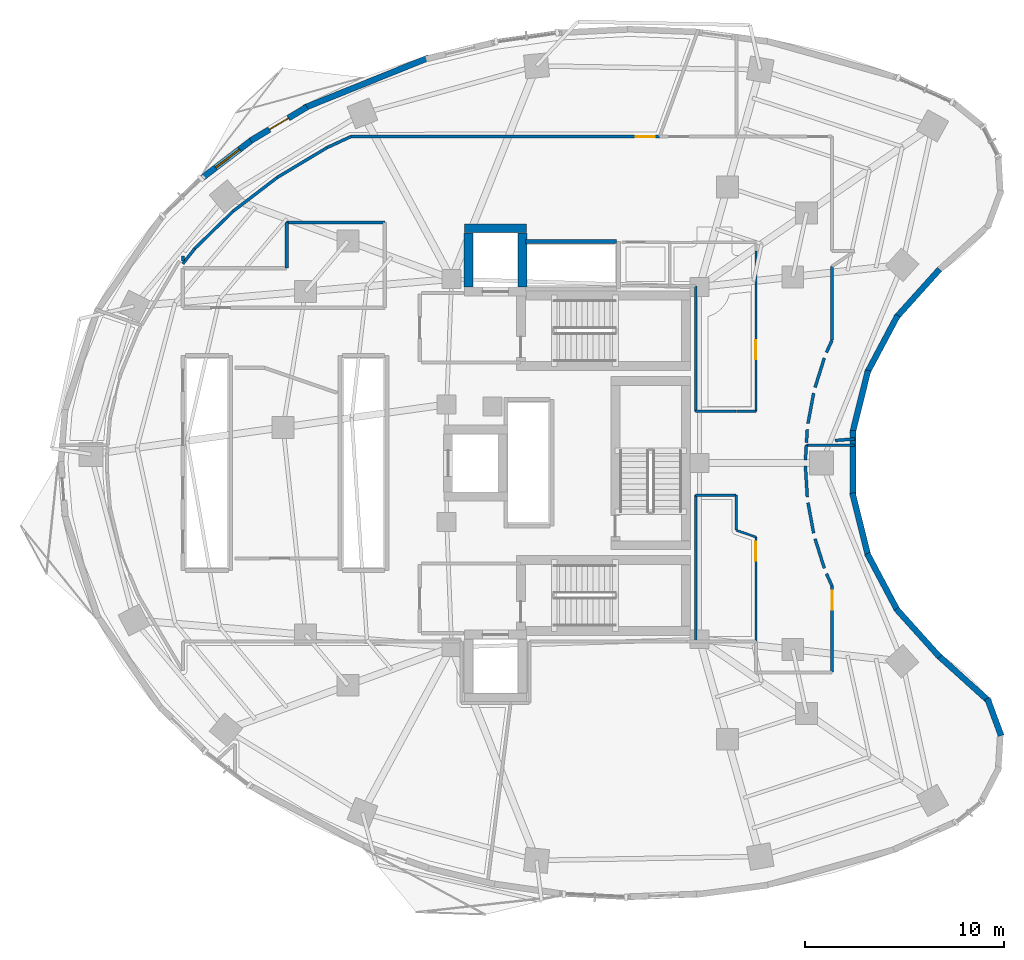
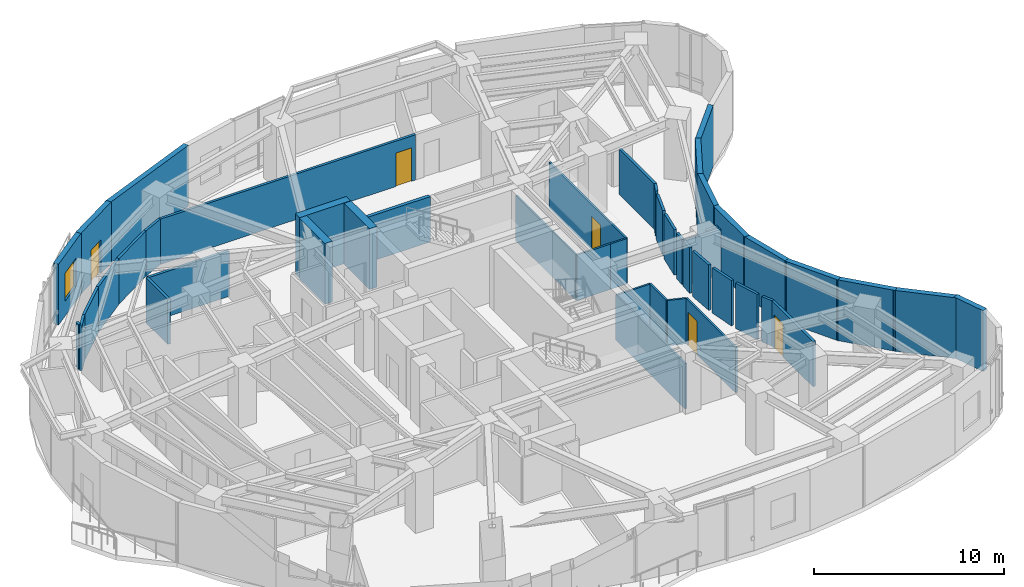
# One storey, part 9 of 13: 47 walls, 5 doors, 1 window, 6 openings.
"""IFC4 building model written with IfcOpenShell, lengths in metres."""

from ifc_helpers import new_model, si_unit, direction, frame, frame_2d, origin, place, context, subcontext, project, spatial, rectangle, extrude, material, layer, layer_set, type_object, element, fill, save


model = new_model("IFC4")

# Units and contexts
model_context = context("Model", 3, precision=1e-05, world=origin(), true_north=direction((0.0, 1.0)))
body_context = subcontext(model_context, "Body", "Model", "MODEL_VIEW")
ifc_project = project(units=[si_unit("LENGTHUNIT", "METRE"), si_unit("AREAUNIT", "SQUARE_METRE"), si_unit("VOLUMEUNIT", "CUBIC_METRE"), si_unit("PLANEANGLEUNIT", "RADIAN"), si_unit("MASSUNIT", "GRAM", prefix="KILO")], contexts=[model_context])

# Site, building, storey
site_placement = place(None, origin())
site = spatial("IfcSite", under=ifc_project, at=site_placement, CompositionType="ELEMENT")
building_placement = place(site_placement, origin())
building = spatial("IfcBuilding", under=site, at=building_placement, Name="Korentha Bioscience Tower", CompositionType="ELEMENT")
storey_placement = place(building_placement, frame((0.0, 0.0, 123.60009765625)))
storey = spatial("IfcBuildingStorey", under=building, at=storey_placement, Name="L28", CompositionType="ELEMENT", Elevation=123.60009765625)

# Wall, opening, door
ifc_material_1 = material(Name="Double-Stud Acoustic Gypsum", Category="gypsum")
ifc_layer_1 = layer(ifc_material_1, 0.14990234375, Name="Double-Stud Acoustic Gypsum")
ifc_layer_set_1 = layer_set([ifc_layer_1], Name="Double-Stud Acoustic Gypsum (IW-L150)")
wall_type_1 = type_object("IfcWallType", Name="Acoustic Laboratory Partition Wall 150", PredefinedType="PARTITIONING", material=ifc_layer_set_1)
wall_1_placement = place(storey_placement, frame((44.2099609375, 16.5, 0.0), z_axis=(0.0, 0.0, 1.0), x_axis=(0.0, 1.0, 0.0)))
wall_1 = element("IfcWall", 1, at=wall_1_placement, inside=storey, type_object=wall_type_1, Name="L28 Principal Investigator Office 03 Entrance Wall", PredefinedType="PARTITIONING", context=body_context, shape_type="SweptSolid", body=[
    extrude(rectangle(XDim=4.324951171875, YDim=0.14990234375, at=frame_2d((2.16259765625, 0.0))), origin(), (0.0, 0.0, 1.0), 2.909912109375),
])
opening_1_placement = place(wall_1_placement, frame((3.135009765625, 0.0, 0.0)))
opening_1 = element("IfcOpeningElement", 2, at=opening_1_placement, cuts=wall_1, Name="Opening ID-10R", PredefinedType="OPENING", context=body_context, shape_type="SweptSolid", body=[
    extrude(rectangle(XDim=0.949951171875, YDim=2.14990234375, at=frame_2d((0.47509765625, 1.074951171875))), frame((0.0, 0.08984375, 0.0), z_axis=(0.0, -1.0, 0.0), x_axis=(1.0, 0.0, 0.0)), (0.0, 0.0, 1.0), 0.1796875),
])
ifc_material_2 = material(Name="Phenolic Laminate Timber Core", Category="wood")
door_type_1 = type_object("IfcDoorType", Name="Laboratory Single Leaf Door 950x2150 Right", OperationType="SINGLE_SWING_RIGHT", PredefinedType="DOOR", material=ifc_material_2)
door_1_placement = place(opening_1_placement, origin())
door_1 = element("IfcDoor", 3, at=door_1_placement, inside=storey, type_object=door_type_1, Name="L28 Principal Investigator Office 03 Door", OperationType="SINGLE_SWING_RIGHT", OverallHeight=2.14990234375, OverallWidth=0.949951171875, PredefinedType="DOOR", context=body_context, shape_type="SweptSolid", body=[
    extrude(rectangle(XDim=0.949951171875, YDim=2.14990234375, at=frame_2d((0.47509765625, 1.074951171875))), frame((0.0, 0.02490234375, 0.0), z_axis=(0.0, -1.0, 0.0), x_axis=(1.0, 0.0, 0.0)), (0.0, 0.0, 1.0), 0.050048828125),
])
fill(opening_1, door_1)

wall_2_placement = place(storey_placement, frame((35.540283203125, 43.409912109375, 0.0), z_axis=(0.0, 0.0, 1.0), x_axis=(-1.0, 0.0, 0.0)))
wall_2 = element("IfcWall", 4, at=wall_2_placement, inside=storey, type_object=wall_type_1, Name="L28 Terrace View Refreshment Lounge 08 Entrance Wall", PredefinedType="PARTITIONING", context=body_context, shape_type="SweptSolid", body=[
    extrude(rectangle(XDim=15.497802734375, YDim=0.14990234375, at=frame_2d((7.7490234375, 0.0))), origin(), (0.0, 0.0, 1.0), 2.909912109375),
])
opening_2_placement = place(wall_2_placement, frame((0.239990234375, 0.0, 0.0)))
opening_2 = element("IfcOpeningElement", 5, at=opening_2_placement, cuts=wall_2, Name="Opening ID-10L", PredefinedType="OPENING", context=body_context, shape_type="SweptSolid", body=[
    extrude(rectangle(XDim=0.949951171875, YDim=2.14990234375, at=frame_2d((0.47509765625, 1.074951171875))), frame((0.0, 0.08984375, 0.0), z_axis=(0.0, -1.0, 0.0), x_axis=(1.0, 0.0, 0.0)), (0.0, 0.0, 1.0), 0.1796875),
])
door_type_2 = type_object("IfcDoorType", Name="Laboratory Single Leaf Door 950x2150 Left", OperationType="SINGLE_SWING_LEFT", PredefinedType="DOOR", material=ifc_material_2)
door_2_placement = place(opening_2_placement, origin())
door_2 = element("IfcDoor", 6, at=door_2_placement, inside=storey, type_object=door_type_2, Name="L28 Terrace View Refreshment Lounge 08 Door", OperationType="SINGLE_SWING_LEFT", OverallHeight=2.14990234375, OverallWidth=0.949951171875, PredefinedType="DOOR", context=body_context, shape_type="SweptSolid", body=[
    extrude(rectangle(XDim=0.949951171875, YDim=2.14990234375, at=frame_2d((0.47509765625, 1.074951171875))), frame((0.0, 0.02490234375, 0.0), z_axis=(0.0, -1.0, 0.0), x_axis=(1.0, 0.0, 0.0)), (0.0, 0.0, 1.0), 0.050048828125),
])
fill(opening_2, door_2)

# Walls
wall_3_placement = place(storey_placement, frame((44.208984375, 20.8291015625, 0.0), z_axis=(0.0, 0.0, 1.0), x_axis=(-0.414377467152, 0.910105111905, 0.0)))
element("IfcWall", 7, at=wall_3_placement, inside=storey, type_object=wall_type_1, Name="L28 Interior Partition 037", PredefinedType="PARTITIONING", context=body_context, shape_type="SweptSolid", body=[
    extrude(rectangle(XDim=0.67236328125, YDim=0.14990234375, at=frame_2d((0.336181640625, 0.0))), origin(), (0.0, 0.0, 1.0), 2.909912109375),
])
wall_4_placement = place(storey_placement, frame((43.823974609375, 21.718017578125, 0.0), z_axis=(0.0, 0.0, 1.0), x_axis=(-0.300641414783, 0.953737248783, 0.0)))
element("IfcWall", 8, at=wall_4_placement, inside=storey, type_object=wall_type_1, Name="L28 Interior Partition 038", PredefinedType="PARTITIONING", context=body_context, shape_type="SweptSolid", body=[
    extrude(rectangle(XDim=1.55029296875, YDim=0.14990234375, at=frame_2d((0.775146484375, 0.0))), origin(), (0.0, 0.0, 1.0), 2.909912109375),
])
wall_5_placement = place(storey_placement, frame((43.285888671875, 23.484619140625, 0.0), z_axis=(0.0, 0.0, 1.0), x_axis=(-0.182168192784, 0.983267384559, 0.0)))
element("IfcWall", 9, at=wall_5_placement, inside=storey, type_object=wall_type_1, Name="L28 Interior Partition 039", PredefinedType="PARTITIONING", context=body_context, shape_type="SweptSolid", body=[
    extrude(rectangle(XDim=1.550537109375, YDim=0.14990234375, at=frame_2d((0.775390625, 0.0))), origin(), (0.0, 0.0, 1.0), 2.909912109375),
])
wall_6_placement = place(storey_placement, frame((42.96728515625, 25.303955078125, 0.0), z_axis=(0.0, 0.0, 1.0), x_axis=(-0.061103659378, 0.99813142562, 0.0)))
element("IfcWall", 10, at=wall_6_placement, inside=storey, type_object=wall_type_1, Name="L28 Interior Partition 040", PredefinedType="PARTITIONING", context=body_context, shape_type="SweptSolid", body=[
    extrude(rectangle(XDim=1.55029296875, YDim=0.14990234375, at=frame_2d((0.775146484375, 0.0))), origin(), (0.0, 0.0, 1.0), 2.909912109375),
])
wall_7_placement = place(storey_placement, frame((42.87255859375, 27.148681640625, 0.0), z_axis=(0.0, 0.0, 1.0), x_axis=(0.061143125985, 0.998129008768, 0.0)))
element("IfcWall", 11, at=wall_7_placement, inside=storey, type_object=wall_type_1, Name="L28 Interior Partition 041", PredefinedType="PARTITIONING", context=body_context, shape_type="SweptSolid", body=[
    extrude(rectangle(XDim=0.750732421875, YDim=0.14990234375, at=frame_2d((0.37548828125, 0.0))), origin(), (0.0, 0.0, 1.0), 2.909912109375),
])
wall_8_placement = place(storey_placement, frame((42.91845703125, 27.89794921875, 0.0), z_axis=(0.0, 0.0, 1.0), x_axis=(1.0, 0.0, 0.0)))
element("IfcWall", 12, at=wall_8_placement, inside=storey, type_object=wall_type_1, Name="L28 Interior Partition 042", PredefinedType="PARTITIONING", context=body_context, shape_type="SweptSolid", body=[
    extrude(rectangle(XDim=2.4140625, YDim=0.14990234375, at=frame_2d((1.20703125, 0.0))), origin(), (0.0, 0.0, 1.0), 2.909912109375),
])
wall_9_placement = place(storey_placement, frame((45.349609375, 28.21337890625, 0.0), z_axis=(0.0, 0.0, 1.0), x_axis=(-0.997039830609, -0.076886775058, 0.0)))
element("IfcWall", 13, at=wall_9_placement, inside=storey, type_object=wall_type_1, Name="L28 Interior Partition 048", PredefinedType="PARTITIONING", context=body_context, shape_type="SweptSolid", body=[
    extrude(rectangle(XDim=0.981201171875, YDim=0.14990234375, at=frame_2d((0.49072265625, 0.0))), origin(), (0.0, 0.0, 1.0), 2.909912109375),
])
wall_10_placement = place(storey_placement, frame((42.92626953125, 28.02685546875, 0.0), z_axis=(0.0, 0.0, 1.0), x_axis=(0.061176697513, 0.998126951686, 0.0)))
element("IfcWall", 14, at=wall_10_placement, inside=storey, type_object=wall_type_1, Name="L28 Interior Partition 049", PredefinedType="PARTITIONING", context=body_context, shape_type="SweptSolid", body=[
    extrude(rectangle(XDim=0.67041015625, YDim=0.14990234375, at=frame_2d((0.335205078125, 0.0))), origin(), (0.0, 0.0, 1.0), 2.909912109375),
])
wall_11_placement = place(storey_placement, frame((43.00341796875, 28.99072265625, 0.0), z_axis=(0.0, 0.0, 1.0), x_axis=(0.182168192784, 0.983267384559, 0.0)))
element("IfcWall", 15, at=wall_11_placement, inside=storey, type_object=wall_type_1, Name="L28 Interior Partition 050", PredefinedType="PARTITIONING", context=body_context, shape_type="SweptSolid", body=[
    extrude(rectangle(XDim=1.550537109375, YDim=0.14990234375, at=frame_2d((0.775390625, 0.0))), origin(), (0.0, 0.0, 1.0), 2.909912109375),
])
wall_12_placement = place(storey_placement, frame((43.35791015625, 30.803466796875, 0.0), z_axis=(0.0, 0.0, 1.0), x_axis=(0.300641414783, 0.953737248783, 0.0)))
element("IfcWall", 16, at=wall_12_placement, inside=storey, type_object=wall_type_1, Name="L28 Interior Partition 051", PredefinedType="PARTITIONING", context=body_context, shape_type="SweptSolid", body=[
    extrude(rectangle(XDim=1.55029296875, YDim=0.14990234375, at=frame_2d((0.775146484375, 0.0))), origin(), (0.0, 0.0, 1.0), 2.909912109375),
])
wall_13_placement = place(storey_placement, frame((43.930419921875, 32.55908203125, 0.0), z_axis=(0.0, 0.0, 1.0), x_axis=(0.414377467152, 0.910105111905, 0.0)))
element("IfcWall", 17, at=wall_13_placement, inside=storey, type_object=wall_type_1, Name="L28 Interior Partition 052", PredefinedType="PARTITIONING", context=body_context, shape_type="SweptSolid", body=[
    extrude(rectangle(XDim=0.67236328125, YDim=0.14990234375, at=frame_2d((0.336181640625, 0.0))), origin(), (0.0, 0.0, 1.0), 2.909912109375),
])
wall_14_placement = place(storey_placement, frame((44.2099609375, 33.175048828125, 0.0), z_axis=(0.0, 0.0, 1.0), x_axis=(0.0, 1.0, 0.0)))
element("IfcWall", 18, at=wall_14_placement, inside=storey, type_object=wall_type_1, Name="L28 Interior Partition 053", PredefinedType="PARTITIONING", context=body_context, shape_type="SweptSolid", body=[
    extrude(rectangle(XDim=3.708984375, YDim=0.14990234375, at=frame_2d((1.8544921875, 0.0))), origin(), (0.0, 0.0, 1.0), 2.909912109375),
])
wall_15_placement = place(storey_placement, frame((20.038330078125, 43.4091796875, 0.0), z_axis=(0.0, 0.0, 1.0), x_axis=(-0.907124862852, -0.420861596248, 0.0)))
element("IfcWall", 19, at=wall_15_placement, inside=storey, type_object=wall_type_1, Name="L28 Interior Partition 068", PredefinedType="PARTITIONING", context=body_context, shape_type="SweptSolid", body=[
    extrude(rectangle(XDim=1.321533203125, YDim=0.14990234375, at=frame_2d((0.66064453125, 0.0))), origin(), (0.0, 0.0, 1.0), 2.909912109375),
])
wall_16_placement = place(storey_placement, frame((18.838623046875, 42.8525390625, 0.0), z_axis=(0.0, 0.0, 1.0), x_axis=(-0.857603806023, -0.514310909757, 0.0)))
element("IfcWall", 20, at=wall_16_placement, inside=storey, type_object=wall_type_1, Name="L28 Interior Partition 069", PredefinedType="PARTITIONING", context=body_context, shape_type="SweptSolid", body=[
    extrude(rectangle(XDim=2.91357421875, YDim=0.14990234375, at=frame_2d((1.456787109375, 0.0))), origin(), (0.0, 0.0, 1.0), 2.909912109375),
])
wall_17_placement = place(storey_placement, frame((16.3388671875, 41.353515625, 0.0), z_axis=(0.0, 0.0, 1.0), x_axis=(-0.794513779695, -0.607246122981, 0.0)))
element("IfcWall", 21, at=wall_17_placement, inside=storey, type_object=wall_type_1, Name="L28 Interior Partition 070", PredefinedType="PARTITIONING", context=body_context, shape_type="SweptSolid", body=[
    extrude(rectangle(XDim=2.799072265625, YDim=0.14990234375, at=frame_2d((1.3994140625, 0.0))), origin(), (0.0, 0.0, 1.0), 2.909912109375),
])
wall_18_placement = place(storey_placement, frame((14.1142578125, 39.65283203125, 0.0), z_axis=(0.0, 0.0, 1.0), x_axis=(-0.716161838398, -0.697934252794, 0.0)))
element("IfcWall", 22, at=wall_18_placement, inside=storey, type_object=wall_type_1, Name="L28 Interior Partition 071", PredefinedType="PARTITIONING", context=body_context, shape_type="SweptSolid", body=[
    extrude(rectangle(XDim=2.6787109375, YDim=0.14990234375, at=frame_2d((1.33935546875, 0.0))), origin(), (0.0, 0.0, 1.0), 2.909912109375),
])
wall_19_placement = place(storey_placement, frame((12.195068359375, 37.781982421875, 0.0), z_axis=(0.0, 0.0, 1.0), x_axis=(-0.621081637991, -0.783745876513, 0.0)))
element("IfcWall", 23, at=wall_19_placement, inside=storey, type_object=wall_type_1, Name="L28 Interior Partition 072", PredefinedType="PARTITIONING", context=body_context, shape_type="SweptSolid", body=[
    extrude(rectangle(XDim=0.97412109375, YDim=0.14990234375, at=frame_2d((0.487060546875, 0.0))), origin(), (0.0, 0.0, 1.0), 2.909912109375),
])
wall_20_placement = place(storey_placement, frame((11.590087890625, 37.14404296875, 0.0), z_axis=(0.0, 0.0, 1.0), x_axis=(0.0, 1.0, 0.0)))
element("IfcWall", 24, at=wall_20_placement, inside=storey, type_object=wall_type_1, Name="L28 Interior Partition 073", PredefinedType="PARTITIONING", context=body_context, shape_type="SweptSolid", body=[
    extrude(rectangle(XDim=0.263916015625, YDim=0.14990234375, at=frame_2d((0.1318359375, 0.0))), origin(), (0.0, 0.0, 1.0), 2.909912109375),
])

# Wall, opening, door
ifc_material_3 = material(Name="Fire-Rated Framed Glass", Category="glass")
ifc_layer_2 = layer(ifc_material_3, 0.110107421875, Name="Fire-Rated Framed Glass")
ifc_layer_set_2 = layer_set([ifc_layer_2], Name="Fire-Rated Framed Glass (IW-G110)")
wall_type_2 = type_object("IfcWallType", Name="Demountable Glazed Office Partition 110", PredefinedType="MOVABLE", material=ifc_layer_set_2)
wall_21_placement = place(storey_placement, frame((40.389892578125, 23.28515625, 0.0), z_axis=(0.0, 0.0, 1.0), x_axis=(0.0, -1.0, 0.0)))
wall_21 = element("IfcWall", 25, at=wall_21_placement, inside=storey, type_object=wall_type_2, Name="L28 Research Colloquium Seminar Room 04 Entrance Wall", PredefinedType="MOVABLE", context=body_context, shape_type="SweptSolid", body=[
    extrude(rectangle(XDim=5.22705078125, YDim=0.110107421875, at=frame_2d((2.613525390625, 0.0))), origin(), (0.0, 0.0, 1.0), 2.909912109375),
])
opening_3_placement = place(wall_21_placement, frame((0.239990234375, 0.0, 0.0)))
opening_3 = element("IfcOpeningElement", 26, at=opening_3_placement, cuts=wall_21, Name="Opening ID-10L", PredefinedType="OPENING", context=body_context, shape_type="SweptSolid", body=[
    extrude(rectangle(XDim=0.949951171875, YDim=2.14990234375, at=frame_2d((0.47509765625, 1.074951171875))), frame((0.0, 0.06982421875, 0.0), z_axis=(0.0, -1.0, 0.0), x_axis=(1.0, 0.0, 0.0)), (0.0, 0.0, 1.0), 0.139892578125),
])
door_3_placement = place(opening_3_placement, origin())
door_3 = element("IfcDoor", 27, at=door_3_placement, inside=storey, type_object=door_type_2, Name="L28 Research Colloquium Seminar Room 04 Door", OperationType="SINGLE_SWING_LEFT", OverallHeight=2.14990234375, OverallWidth=0.949951171875, PredefinedType="DOOR", context=body_context, shape_type="SweptSolid", body=[
    extrude(rectangle(XDim=0.949951171875, YDim=2.14990234375, at=frame_2d((0.47509765625, 1.074951171875))), frame((0.0, 0.02490234375, 0.0), z_axis=(0.0, -1.0, 0.0), x_axis=(1.0, 0.0, 0.0)), (0.0, 0.0, 1.0), 0.050048828125),
])
fill(opening_3, door_3)

wall_22_placement = place(storey_placement, frame((40.389892578125, 37.64794921875, 0.0), z_axis=(0.0, 0.0, 1.0), x_axis=(0.0, -1.0, 0.0)))
wall_22 = element("IfcWall", 28, at=wall_22_placement, inside=storey, type_object=wall_type_2, Name="L28 Patent and Regulatory Affairs Office 06 Entrance Wall", PredefinedType="MOVABLE", context=body_context, shape_type="SweptSolid", body=[
    extrude(rectangle(XDim=8.0458984375, YDim=0.110107421875, at=frame_2d((4.02294921875, 0.0))), origin(), (0.0, 0.0, 1.0), 2.909912109375),
])
opening_4_placement = place(wall_22_placement, frame((4.466796875, 0.0, 0.0)))
opening_4 = element("IfcOpeningElement", 29, at=opening_4_placement, cuts=wall_22, Name="Opening ID-10L", PredefinedType="OPENING", context=body_context, shape_type="SweptSolid", body=[
    extrude(rectangle(XDim=0.949951171875, YDim=2.14990234375, at=frame_2d((0.47509765625, 1.074951171875))), frame((0.0, 0.06982421875, 0.0), z_axis=(0.0, -1.0, 0.0), x_axis=(1.0, 0.0, 0.0)), (0.0, 0.0, 1.0), 0.139892578125),
])
door_4_placement = place(opening_4_placement, origin())
door_4 = element("IfcDoor", 30, at=door_4_placement, inside=storey, type_object=door_type_2, Name="L28 Patent and Regulatory Affairs Office 06 Door", OperationType="SINGLE_SWING_LEFT", OverallHeight=2.14990234375, OverallWidth=0.949951171875, PredefinedType="DOOR", context=body_context, shape_type="SweptSolid", body=[
    extrude(rectangle(XDim=0.949951171875, YDim=2.14990234375, at=frame_2d((0.47509765625, 1.074951171875))), frame((0.0, 0.02490234375, 0.0), z_axis=(0.0, -1.0, 0.0), x_axis=(1.0, 0.0, 0.0)), (0.0, 0.0, 1.0), 0.050048828125),
])
fill(opening_4, door_4)

# Walls
wall_23_placement = place(storey_placement, frame((39.402099609375, 23.62548828125, 0.0), z_axis=(0.0, 0.0, 1.0), x_axis=(0.945457381587, -0.325745820547, 0.0)))
element("IfcWall", 31, at=wall_23_placement, inside=storey, type_object=wall_type_2, Name="L28 Interior Partition 044", PredefinedType="MOVABLE", context=body_context, shape_type="SweptSolid", body=[
    extrude(rectangle(XDim=1.044677734375, YDim=0.110107421875, at=frame_2d((0.5224609375, 0.0))), origin(), (0.0, 0.0, 1.0), 2.909912109375),
])
wall_24_placement = place(storey_placement, frame((37.360107421875, 18.10009765625, 0.0), z_axis=(0.0, 0.0, 1.0), x_axis=(0.0, 1.0, 0.0)))
element("IfcWall", 32, at=wall_24_placement, inside=storey, type_object=wall_type_2, Name="L28 Interior Partition 045", PredefinedType="MOVABLE", context=body_context, shape_type="SweptSolid", body=[
    extrude(rectangle(XDim=7.289794921875, YDim=0.110107421875, at=frame_2d((3.64501953125, 0.0))), origin(), (0.0, 0.0, 1.0), 2.909912109375),
])
wall_25_placement = place(storey_placement, frame((37.360107421875, 25.389892578125, 0.0), z_axis=(0.0, 0.0, 1.0), x_axis=(1.0, 0.0, 0.0)))
element("IfcWall", 33, at=wall_25_placement, inside=storey, type_object=wall_type_2, Name="L28 Interior Partition 046", PredefinedType="MOVABLE", context=body_context, shape_type="SweptSolid", body=[
    extrude(rectangle(XDim=2.037841796875, YDim=0.110107421875, at=frame_2d((1.01904296875, 0.0))), origin(), (0.0, 0.0, 1.0), 2.909912109375),
])
wall_26_placement = place(storey_placement, frame((39.39794921875, 25.389892578125, 0.0), z_axis=(0.0, 0.0, 1.0), x_axis=(0.0, -1.0, 0.0)))
element("IfcWall", 34, at=wall_26_placement, inside=storey, type_object=wall_type_2, Name="L28 Interior Partition 047", PredefinedType="MOVABLE", context=body_context, shape_type="SweptSolid", body=[
    extrude(rectangle(XDim=1.7587890625, YDim=0.110107421875, at=frame_2d((0.87939453125, 0.0))), origin(), (0.0, 0.0, 1.0), 2.909912109375),
])
wall_27_placement = place(storey_placement, frame((40.389892578125, 29.60205078125, 0.0), z_axis=(0.0, 0.0, 1.0), x_axis=(-1.0, 0.0, 0.0)))
element("IfcWall", 35, at=wall_27_placement, inside=storey, type_object=wall_type_2, Name="L28 Interior Partition 059", PredefinedType="MOVABLE", context=body_context, shape_type="SweptSolid", body=[
    extrude(rectangle(XDim=0.98779296875, YDim=0.110107421875, at=frame_2d((0.493896484375, 0.0))), origin(), (0.0, 0.0, 1.0), 2.909912109375),
])
wall_28_placement = place(storey_placement, frame((39.39794921875, 29.60205078125, 0.0), z_axis=(0.0, 0.0, 1.0), x_axis=(-1.0, 0.0, 0.0)))
element("IfcWall", 36, at=wall_28_placement, inside=storey, type_object=wall_type_2, Name="L28 Interior Partition 060", PredefinedType="MOVABLE", context=body_context, shape_type="SweptSolid", body=[
    extrude(rectangle(XDim=2.037841796875, YDim=0.110107421875, at=frame_2d((1.01904296875, 0.0))), origin(), (0.0, 0.0, 1.0), 2.909912109375),
])
wall_29_placement = place(storey_placement, frame((37.360107421875, 29.60205078125, 0.0), z_axis=(0.0, 0.0, 1.0), x_axis=(0.0, 1.0, 0.0)))
element("IfcWall", 37, at=wall_29_placement, inside=storey, type_object=wall_type_2, Name="L28 Interior Partition 061", PredefinedType="MOVABLE", context=body_context, shape_type="SweptSolid", body=[
    extrude(rectangle(XDim=6.2978515625, YDim=0.110107421875, at=frame_2d((3.14892578125, 0.0))), origin(), (0.0, 0.0, 1.0), 2.909912109375),
])
ifc_material_4 = material(Name="Gypsum-Clad Steel Stud", Category="steel")
ifc_layer_3 = layer(ifc_material_4, 0.159912109375, Name="Gypsum-Clad Steel Stud")
ifc_layer_set_3 = layer_set([ifc_layer_3], Name="Gypsum-Clad Steel Stud (IW-C160)")
wall_type_3 = type_object("IfcWallType", Name="Fire-Rated Corridor Partition Wall 160", PredefinedType="PARTITIONING", material=ifc_layer_set_3)
wall_30_placement = place(storey_placement, frame((16.81005859375, 36.800048828125, 0.0), z_axis=(0.0, 0.0, 1.0), x_axis=(0.0, 1.0, 0.0)))
element("IfcWall", 38, at=wall_30_placement, inside=storey, type_object=wall_type_3, Name="L28 Interior Partition 076", PredefinedType="PARTITIONING", context=body_context, shape_type="SweptSolid", body=[
    extrude(rectangle(XDim=2.2900390625, YDim=0.159912109375, at=frame_2d((1.14501953125, 0.0))), origin(), (0.0, 0.0, 1.0), 2.909912109375),
])
wall_31_placement = place(storey_placement, frame((16.81005859375, 39.090087890625, 0.0), z_axis=(0.0, 0.0, 1.0), x_axis=(1.0, 0.0, 0.0)))
element("IfcWall", 39, at=wall_31_placement, inside=storey, type_object=wall_type_3, Name="L28 Interior Partition 077", PredefinedType="PARTITIONING", context=body_context, shape_type="SweptSolid", body=[
    extrude(rectangle(XDim=4.929931640625, YDim=0.159912109375, at=frame_2d((2.46484375, 0.0))), origin(), (0.0, 0.0, 1.0), 2.909912109375),
])

# Wall, opening, door
ifc_material_5 = material(Name="Honed Limestone Precast Concrete C40", Category="masonry")
ifc_layer_4 = layer(ifc_material_5, 0.300048828125, Name="Honed Limestone Precast Concrete C40")
ifc_layer_set_4 = layer_set([ifc_layer_4], Name="Honed Limestone Precast Concrete C40 (EW-ST300)")
wall_type_4 = type_object("IfcWallType", Name="Honed Limestone Cavity Spandrel Wall 300", PredefinedType="STANDARD", material=ifc_layer_set_4)
wall_32_placement = place(storey_placement, frame((17.83349609375, 44.896728515625, 0.0), z_axis=(0.0, 0.0, 1.0), x_axis=(-0.85758429223, -0.514343447242, 0.0)))
wall_32 = element("IfcWall", 40, at=wall_32_placement, inside=storey, type_object=wall_type_4, Name="L28 Balcony Threshold Wall 01", PredefinedType="STANDARD", context=body_context, shape_type="SweptSolid", body=[
    extrude(rectangle(XDim=3.30029296875, YDim=0.300048828125, at=frame_2d((1.650146484375, 0.0))), origin(), (0.0, 0.0, 1.0), 3.89990234375),
])
opening_5_placement = place(wall_32_placement, frame((1.10009765625, 0.0, 0.0)))
opening_5 = element("IfcOpeningElement", 41, at=opening_5_placement, cuts=wall_32, Name="Opening BD-11L", PredefinedType="OPENING", context=body_context, shape_type="SweptSolid", body=[
    extrude(rectangle(XDim=1.10009765625, YDim=2.14990234375, at=frame_2d((0.550048828125, 1.074951171875))), frame((0.0, 0.1650390625, 0.0), z_axis=(0.0, -1.0, 0.0), x_axis=(1.0, 0.0, 0.0)), (0.0, 0.0, 1.0), 0.329833984375),
])
ifc_material_6 = material(Name="Thermally Broken Glazed Aluminium", Category="aluminium")
door_type_3 = type_object("IfcDoorType", Name="Balcony Terrace Glazed Door 1100x2150 Left", OperationType="SINGLE_SWING_LEFT", PredefinedType="DOOR", material=ifc_material_6)
door_5_placement = place(opening_5_placement, origin())
door_5 = element("IfcDoor", 42, at=door_5_placement, inside=storey, type_object=door_type_3, Name="L28 Balcony Access Door 01", OperationType="SINGLE_SWING_LEFT", OverallHeight=2.14990234375, OverallWidth=1.10009765625, PredefinedType="DOOR", context=body_context, shape_type="SweptSolid", body=[
    extrude(rectangle(XDim=1.10009765625, YDim=2.14990234375, at=frame_2d((0.550048828125, 1.074951171875))), frame((0.0, 0.02490234375, 0.0), z_axis=(0.0, -1.0, 0.0), x_axis=(1.0, 0.0, 0.0)), (0.0, 0.0, 1.0), 0.050048828125),
])
fill(opening_5, door_5)

# Wall, opening, window
wall_33_placement = place(storey_placement, frame((15.1171875, 43.276611328125, 0.0), z_axis=(0.0, 0.0, 1.0), x_axis=(-0.794524406211, -0.607232219119, 0.0)))
wall_33 = element("IfcWall", 43, at=wall_33_placement, inside=storey, type_object=wall_type_4, Name="L28 Honed Limestone Spandrel Wall 12", PredefinedType="STANDARD", context=body_context, shape_type="SweptSolid", body=[
    extrude(rectangle(XDim=3.202880859375, YDim=0.300048828125, at=frame_2d((1.6015625, 0.0))), origin(), (0.0, 0.0, 1.0), 3.89990234375),
])
opening_6_placement = place(wall_33_placement, frame((0.851318359375, 0.0, 0.949951171875)))
opening_6 = element("IfcOpeningElement", 44, at=opening_6_placement, cuts=wall_33, Name="Opening WN-02", PredefinedType="OPENING", context=body_context, shape_type="SweptSolid", body=[
    extrude(rectangle(XDim=1.5, YDim=1.800048828125, at=frame_2d((0.75, 0.89990234375))), frame((0.0, 0.1650390625, 0.0), z_axis=(0.0, -1.0, 0.0), x_axis=(1.0, 0.0, 0.0)), (0.0, 0.0, 1.0), 0.329833984375),
])
ifc_material_7 = material(Name="Thermally Broken Aluminium Triple Glazing", Category="aluminium")
window_type = type_object("IfcWindowType", Name="Acoustic Operable Office Window 1500x1800", PartitioningType="DOUBLE_PANEL_VERTICAL", PredefinedType="WINDOW", material=ifc_material_7)
window_placement = place(opening_6_placement, origin())
window = element("IfcWindow", 45, at=window_placement, inside=storey, type_object=window_type, Name="L28 Facade Window 12", OverallHeight=1.800048828125, OverallWidth=1.5, PartitioningType="DOUBLE_PANEL_VERTICAL", PredefinedType="WINDOW", context=body_context, shape_type="SweptSolid", body=[
    extrude(rectangle(XDim=1.5, YDim=1.800048828125, at=frame_2d((0.75, 0.89990234375))), frame((0.0, 0.030029296875, 0.0), z_axis=(0.0, -1.0, 0.0), x_axis=(1.0, 0.0, 0.0)), (0.0, 0.0, 1.0), 0.06005859375),
])
fill(opening_6, window)

# Walls
wall_34_placement = place(storey_placement, frame((23.955810546875, 47.375, 0.0), z_axis=(0.0, 0.0, 1.0), x_axis=(-0.927423312416, -0.374013368194, 0.0)))
element("IfcWall", 46, at=wall_34_placement, inside=storey, type_object=wall_type_4, Name="L28 Limestone Perimeter Closure Wall 09", PredefinedType="STANDARD", context=body_context, shape_type="SweptSolid", body=[
    extrude(rectangle(XDim=6.76904296875, YDim=0.300048828125, at=frame_2d((3.384521484375, 0.0))), origin(), (0.0, 0.0, 1.0), 3.89990234375),
])
wall_35_placement = place(storey_placement, frame((52.710205078125, 13.3046875, 0.0), z_axis=(0.0, 0.0, 1.0), x_axis=(-0.347370087337, 0.937728117539, 0.0)))
element("IfcWall", 47, at=wall_35_placement, inside=storey, type_object=wall_type_4, Name="L28 Limestone Perimeter Closure Wall 40", PredefinedType="STANDARD", context=body_context, shape_type="SweptSolid", body=[
    extrude(rectangle(XDim=1.997314453125, YDim=0.300048828125, at=frame_2d((0.99853515625, 0.0))), origin(), (0.0, 0.0, 1.0), 3.89990234375),
])
wall_36_placement = place(storey_placement, frame((52.14111328125, 14.993896484375, 0.0), z_axis=(0.0, 0.0, 1.0), x_axis=(-0.74255963233, 0.669779958221, 0.0)))
element("IfcWall", 48, at=wall_36_placement, inside=storey, type_object=wall_type_4, Name="L28 Limestone Perimeter Closure Wall 41", PredefinedType="STANDARD", context=body_context, shape_type="SweptSolid", body=[
    extrude(rectangle(XDim=3.5390625, YDim=0.300048828125, at=frame_2d((1.76953125, 0.0))), origin(), (0.0, 0.0, 1.0), 3.89990234375),
])
wall_37_placement = place(storey_placement, frame((49.61572265625, 17.26171875, 0.0), z_axis=(0.0, 0.0, 1.0), x_axis=(-0.669167727967, 0.743111399353, 0.0)))
element("IfcWall", 49, at=wall_37_placement, inside=storey, type_object=wall_type_4, Name="L28 Limestone Perimeter Closure Wall 43", PredefinedType="STANDARD", context=body_context, shape_type="SweptSolid", body=[
    extrude(rectangle(XDim=3.25537109375, YDim=0.300048828125, at=frame_2d((1.627685546875, 0.0))), origin(), (0.0, 0.0, 1.0), 3.89990234375),
])
wall_38_placement = place(storey_placement, frame((47.5087890625, 19.578857421875, 0.0), z_axis=(0.0, 0.0, 1.0), x_axis=(-0.469451284634, 0.882958374645, 0.0)))
element("IfcWall", 50, at=wall_38_placement, inside=storey, type_object=wall_type_4, Name="L28 Limestone Perimeter Closure Wall 45", PredefinedType="STANDARD", context=body_context, shape_type="SweptSolid", body=[
    extrude(rectangle(XDim=3.255615234375, YDim=0.300048828125, at=frame_2d((1.6279296875, 0.0))), origin(), (0.0, 0.0, 1.0), 3.89990234375),
])
wall_39_placement = place(storey_placement, frame((46.025146484375, 22.3369140625, 0.0), z_axis=(0.0, 0.0, 1.0), x_axis=(-0.241900409149, 0.970301083197, 0.0)))
element("IfcWall", 51, at=wall_39_placement, inside=storey, type_object=wall_type_4, Name="L28 Limestone Perimeter Closure Wall 47", PredefinedType="STANDARD", context=body_context, shape_type="SweptSolid", body=[
    extrude(rectangle(XDim=3.255859375, YDim=0.300048828125, at=frame_2d((1.6279296875, 0.0))), origin(), (0.0, 0.0, 1.0), 3.89990234375),
])
wall_40_placement = place(storey_placement, frame((45.252685546875, 25.372314453125, 0.0), z_axis=(0.0, 0.0, 1.0), x_axis=(0.0, 1.0, 0.0)))
element("IfcWall", 52, at=wall_40_placement, inside=storey, type_object=wall_type_4, Name="L28 Limestone Perimeter Closure Wall 49", PredefinedType="STANDARD", context=body_context, shape_type="SweptSolid", body=[
    extrude(rectangle(XDim=3.25537109375, YDim=0.300048828125, at=frame_2d((1.627685546875, 0.0))), origin(), (0.0, 0.0, 1.0), 3.89990234375),
])
wall_41_placement = place(storey_placement, frame((45.237548828125, 28.50390625, 0.0), z_axis=(0.0, 0.0, 1.0), x_axis=(0.241900409149, 0.970301083197, 0.0)))
element("IfcWall", 53, at=wall_41_placement, inside=storey, type_object=wall_type_4, Name="L28 Limestone Perimeter Closure Wall 51", PredefinedType="STANDARD", context=body_context, shape_type="SweptSolid", body=[
    extrude(rectangle(XDim=3.255859375, YDim=0.300048828125, at=frame_2d((1.6279296875, 0.0))), origin(), (0.0, 0.0, 1.0), 3.89990234375),
])
wall_42_placement = place(storey_placement, frame((45.98046875, 31.546630859375, 0.0), z_axis=(0.0, 0.0, 1.0), x_axis=(0.469451284634, 0.882958374645, 0.0)))
element("IfcWall", 54, at=wall_42_placement, inside=storey, type_object=wall_type_4, Name="L28 Limestone Perimeter Closure Wall 53", PredefinedType="STANDARD", context=body_context, shape_type="SweptSolid", body=[
    extrude(rectangle(XDim=3.255615234375, YDim=0.300048828125, at=frame_2d((1.6279296875, 0.0))), origin(), (0.0, 0.0, 1.0), 3.89990234375),
])
wall_43_placement = place(storey_placement, frame((47.437255859375, 34.319091796875, 0.0), z_axis=(0.0, 0.0, 1.0), x_axis=(0.669167727967, 0.743111399353, 0.0)))
element("IfcWall", 55, at=wall_43_placement, inside=storey, type_object=wall_type_4, Name="L28 Limestone Perimeter Closure Wall 55", PredefinedType="STANDARD", context=body_context, shape_type="SweptSolid", body=[
    extrude(rectangle(XDim=3.25537109375, YDim=0.300048828125, at=frame_2d((1.627685546875, 0.0))), origin(), (0.0, 0.0, 1.0), 3.89990234375),
])
ifc_material_8 = material(Name="Autoclaved Aerated Concrete Block C25", Category="concrete")
ifc_layer_5 = layer(ifc_material_8, 0.199951171875, Name="Autoclaved Aerated Concrete Block C25")
ifc_layer_set_5 = layer_set([ifc_layer_5], Name="Autoclaved Aerated Concrete Block C25 (IW-S200)")
wall_type_5 = type_object("IfcWallType", Name="Lift and Riser Shaft Enclosure Wall 200", PredefinedType="PARTITIONING", material=ifc_layer_set_5)
wall_44_placement = place(storey_placement, frame((28.800048828125, 38.139892578125, 0.0), z_axis=(0.0, 0.0, 1.0), x_axis=(1.0, 0.0, 0.0)))
element("IfcWall", 56, at=wall_44_placement, inside=storey, type_object=wall_type_5, Name="L28 Lift Bank OBS Shaft Wall +Y", PredefinedType="PARTITIONING", context=body_context, shape_type="SweptSolid", body=[
    extrude(rectangle(XDim=4.570068359375, YDim=0.199951171875, at=frame_2d((2.28515625, 0.0))), origin(), (0.0, 0.0, 1.0), 2.909912109375),
])
ifc_material_9 = material(Name="Concrete C80", Category="concrete")
ifc_layer_6 = layer(ifc_material_9, 0.449951171875, Name="Concrete C80")
ifc_layer_set_6 = layer_set([ifc_layer_6], Name="Concrete C80 (CW-C80)")
wall_type_6 = type_object("IfcWallType", Name="Lower Core Shear Wall 450", PredefinedType="SHEAR", material=ifc_layer_set_6)
wall_45_placement = place(storey_placement, frame((25.75, 38.800048828125, 0.0), z_axis=(0.0, 0.0, 1.0), x_axis=(1.0, 0.0, 0.0)))
element("IfcWall", 57, at=wall_45_placement, inside=storey, type_object=wall_type_6, Name="L28 Core Shear Wall FFL2-N", PredefinedType="SHEAR", context=body_context, shape_type="SweptSolid", body=[
    extrude(rectangle(XDim=3.10009765625, YDim=0.449951171875, at=frame_2d((1.550048828125, 0.0))), origin(), (0.0, 0.0, 1.0), 3.89990234375),
])
for number, where, z_axis, x_axis, name in (
    (58, (25.949951171875, 35.860107421875, 0.0), (0.0, 0.0, 1.0), (0.0, 1.0, 0.0), "L28 Core Shear Wall FFL2-W"),
    (59, (28.64990234375, 35.860107421875, 0.0), (0.0, 0.0, 1.0), (0.0, 1.0, 0.0), "L28 Core Shear Wall FFL2-E"),
):
    element("IfcWall", number, at=place(storey_placement, frame(where, z_axis=z_axis, x_axis=x_axis)), inside=storey, type_object=wall_type_6, Name=name, PredefinedType="SHEAR", context=body_context, shape_type="SweptSolid", body=[
        extrude(rectangle(XDim=2.699951171875, YDim=0.449951171875, at=frame_2d((1.35009765625, 0.0))), origin(), (0.0, 0.0, 1.0), 3.89990234375),
    ])

save(model, "model.ifc")
